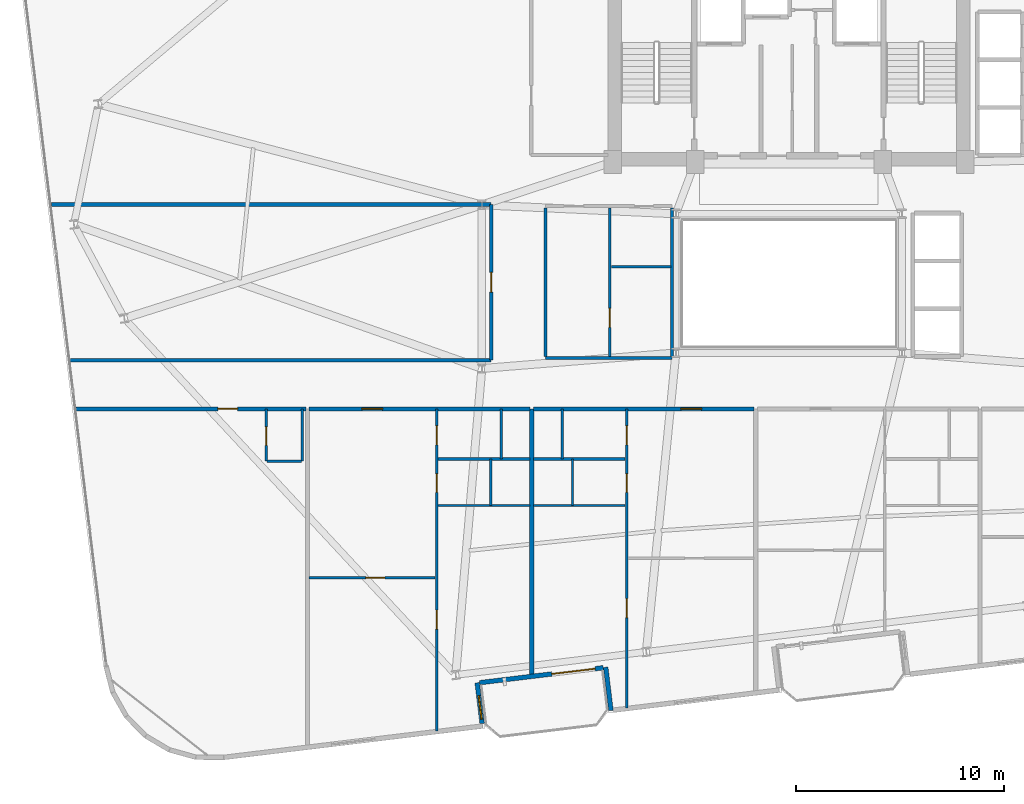
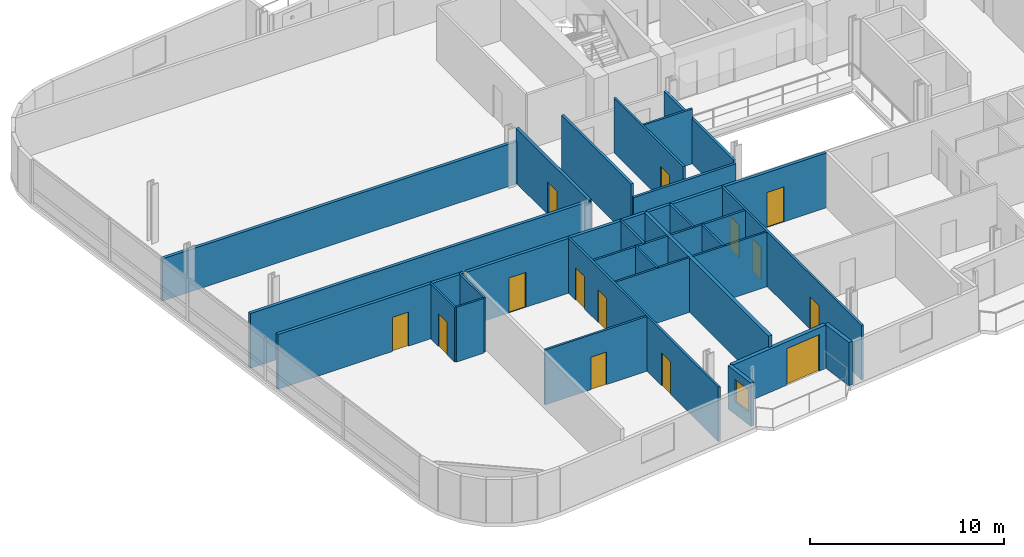
# One storey, part 15 of 24: 29 walls, 14 doors, 1 window, 15 openings.
"""IFC4 building model written with IfcOpenShell, lengths in metres."""

import ifcopenshell
import ifcopenshell.guid

model = None  # the IFC model being written
_history = None  # IfcOwnerHistory: only IFC2X3 demands one
_inside = {}  # id of a spatial element -> (the spatial element, [elements in it])
_under = {}  # id of a project, library or spatial element -> (it, [spatial elements below it])
_declared = {}  # id of a project -> (the project, [libraries it declares])
_typed = {}  # id of a type object -> (the type object, [elements of that type])
_made_of = {}  # id of a material, layer set ... -> (it, [elements and type objects made of it])


def new_model(schema):
    """Start an empty IFC model of exactly this schema.

    Asked for "IFC4X3", IfcOpenShell would pick the latest addendum, in which some entities
    have other attributes; the version numbers below select the first issue.
    IFC2X3 requires an IfcOwnerHistory on every rooted entity: one is made here for all.
    """
    global model, _history
    if schema == "IFC4X3":
        model = ifcopenshell.file(schema_version=(4, 3, 0, 0))
    else:
        model = ifcopenshell.file(schema=schema)
    _inside.clear()
    _under.clear()
    _declared.clear()
    _typed.clear()
    _made_of.clear()
    _history = None
    if model.schema == "IFC2X3":
        org = make("IfcOrganization", Name="unknown")
        user = make(
            "IfcPersonAndOrganization",
            ThePerson=make("IfcPerson", FamilyName="unknown"),
            TheOrganization=org,
        )
        app = make(
            "IfcApplication",
            ApplicationDeveloper=org,
            Version="unknown",
            ApplicationFullName="unknown",
            ApplicationIdentifier="unknown",
        )
        _history = make(
            "IfcOwnerHistory",
            OwningUser=user,
            OwningApplication=app,
            ChangeAction="ADDED",
            CreationDate=0,
        )
    return model


def make(cls, **values):
    """One entity of the class cls with the attributes given. An attribute that is None is left unset."""
    return model.create_entity(
        cls, **{name: value for name, value in values.items() if value is not None}
    )


def rooted(cls, **values):
    """An entity with a GlobalId (a new one), such as an element, a storey or a relation."""
    return make(cls, GlobalId=ifcopenshell.guid.new(), OwnerHistory=_history, **values)


def si_unit(unit_type, name, prefix=None):
    """IfcSIUnit, for example si_unit("LENGTHUNIT", "METRE", prefix="MILLI")."""
    return make("IfcSIUnit", UnitType=unit_type, Prefix=prefix, Name=name)


def assignment(units):
    """IfcUnitAssignment: the units of a project."""
    return None if units is None else make("IfcUnitAssignment", Units=units)


def point(xyz):
    """IfcCartesianPoint."""
    return None if xyz is None else make("IfcCartesianPoint", Coordinates=xyz)


def direction(xyz):
    """IfcDirection."""
    return None if xyz is None else make("IfcDirection", DirectionRatios=xyz)


def frame(location, z_axis=None, x_axis=None):
    """IfcAxis2Placement3D, a coordinate frame: its origin and axes. An axis left out is left unset."""
    return make(
        "IfcAxis2Placement3D",
        Location=point(location),
        Axis=direction(z_axis),
        RefDirection=direction(x_axis),
    )


def frame_2d(location, x_axis=None):
    """IfcAxis2Placement2D, a coordinate frame in the plane: its origin and x axis."""
    return make(
        "IfcAxis2Placement2D", Location=point(location), RefDirection=direction(x_axis)
    )


def origin():
    """The frame at (0, 0, 0) with its axes left unset."""
    return frame((0.0, 0.0, 0.0))


def place(relative_to, where):
    """IfcLocalPlacement: puts the frame where relative to a parent placement (None: the world)."""
    return make(
        "IfcLocalPlacement", PlacementRelTo=relative_to, RelativePlacement=where
    )


def context(
    kind, dimensions, precision=None, world=None, true_north=None, identifier=None
):
    """IfcGeometricRepresentationContext, for example the 3D "Model" context."""
    return make(
        "IfcGeometricRepresentationContext",
        ContextIdentifier=identifier,
        ContextType=kind,
        CoordinateSpaceDimension=dimensions,
        Precision=precision,
        WorldCoordinateSystem=world,
        TrueNorth=true_north,
    )


def subcontext(parent, identifier, kind, view, scale=None):
    """IfcGeometricRepresentationSubContext, for example "Body" below "Model"."""
    return make(
        "IfcGeometricRepresentationSubContext",
        ContextIdentifier=identifier,
        ContextType=kind,
        ParentContext=parent,
        TargetScale=scale,
        TargetView=view,
    )


def project(units=None, contexts=None):
    """IfcProject with its units and contexts."""
    return rooted(
        "IfcProject",
        Name="project",
        RepresentationContexts=contexts,
        UnitsInContext=assignment(units),
    )


def spatial(cls, under=None, at=None, **own):
    """A site, building, storey or space (cls), placed at a placement, below another one or the project."""
    s = rooted(cls, ObjectPlacement=at, **own)
    if under is not None:
        _under.setdefault(under.id(), (under, []))[1].append(s)
    return s


def profile(cls, at=None, kind="AREA", **sizes):
    """A parametric profile (cls). Its sizes go by their IFC names, for example OverallWidth=200.0."""
    return make(cls, ProfileType=kind, Position=at, **sizes)


def rectangle(**sizes):
    """IfcRectangleProfileDef."""
    return profile("IfcRectangleProfileDef", **sizes)


def extrude(swept, where, along, depth):
    """IfcExtrudedAreaSolid: the profile swept, set in the frame where, extruded along a direction by depth."""
    return make(
        "IfcExtrudedAreaSolid",
        SweptArea=swept,
        Position=where,
        ExtrudedDirection=direction(along),
        Depth=depth,
    )


def shape(context_of_items, identifier, shape_type, items):
    """IfcShapeRepresentation: the items that make up one representation, for example the "Body"."""
    return make(
        "IfcShapeRepresentation",
        ContextOfItems=context_of_items,
        RepresentationIdentifier=identifier,
        RepresentationType=shape_type,
        Items=items,
    )


def material(Name=None, Category=None):
    """IfcMaterial."""
    return make("IfcMaterial", Name=Name, Category=Category)


def layer(
    of_material, thickness, ventilated=None, Name=None, Category=None, Priority=None
):
    """IfcMaterialLayer: one layer of a wall or slab, of a material (None: an air gap)."""
    return make(
        "IfcMaterialLayer",
        Material=of_material,
        LayerThickness=thickness,
        IsVentilated=ventilated,
        Name=Name,
        Category=Category,
        Priority=Priority,
    )


def layer_set(layers, Name=None):
    """IfcMaterialLayerSet."""
    return make("IfcMaterialLayerSet", MaterialLayers=layers, LayerSetName=Name)


def made_of(thing, what):
    """Note that an element or type object is made of a material, layer set ...; save() writes the relation."""
    if what is not None:
        _made_of.setdefault(what.id(), (what, []))[1].append(thing)
    return thing


def type_object(cls, material=None, **own):
    """A type object (cls), such as IfcWallType, which elements share."""
    return made_of(rooted(cls, **own), material)


def element(
    cls,
    number,
    at=None,
    inside=None,
    cuts=None,
    type_object=None,
    material=None,
    context=None,
    identifier="Body",
    shape_type=None,
    held_by="IfcProductDefinitionShape",
    body=None,
    shapes=None,
    **own,
):
    """One element of the class cls, such as IfcWall. Its Tag is "e" and its number.

    at: its placement. inside: the storey or other place that contains it. cuts: it is an
    opening in that element (IfcRelVoidsElement). A single representation is given by context,
    identifier, shape_type and body (its items); several are given by shapes. held_by: the class
    of the entity that holds the representations. save() writes the other relations.
    """
    e = rooted(cls, Tag="e%d" % number, ObjectPlacement=at, **own)
    if body is not None:
        shapes = [shape(context, identifier, shape_type, body)]
    if shapes is not None:
        e.Representation = make(held_by, Representations=shapes)
    if inside is not None:
        _inside.setdefault(inside.id(), (inside, []))[1].append(e)
    if cuts is not None:
        rooted(
            "IfcRelVoidsElement", RelatingBuildingElement=cuts, RelatedOpeningElement=e
        )
    if type_object is not None:
        _typed.setdefault(type_object.id(), (type_object, []))[1].append(e)
    return made_of(e, material)


def fill(opening, filler):
    """IfcRelFillsElement: the door or window that sits in an opening."""
    return rooted(
        "IfcRelFillsElement",
        RelatingOpeningElement=opening,
        RelatedBuildingElement=filler,
    )


def aggregate(whole, parts):
    """IfcRelAggregates: a whole, such as a stair, and the parts it consists of."""
    return rooted("IfcRelAggregates", RelatingObject=whole, RelatedObjects=parts)


def save(model, path):
    """Write the relations noted so far, then the file.

    IfcRelAggregates (storeys below a building ...), IfcRelContainedInSpatialStructure (elements
    in a storey), IfcRelDefinesByType, IfcRelAssociatesMaterial and IfcRelDeclares: one each for
    every whole, place, type object, material and project.
    """
    for whole, parts in _under.values():
        aggregate(whole, parts)
    for where, things in _inside.values():
        rooted(
            "IfcRelContainedInSpatialStructure",
            RelatedElements=things,
            RelatingStructure=where,
        )
    for kind, things in _typed.values():
        rooted("IfcRelDefinesByType", RelatedObjects=things, RelatingType=kind)
    for what, things in _made_of.values():
        rooted("IfcRelAssociatesMaterial", RelatedObjects=things, RelatingMaterial=what)
    for by, libraries in _declared.values():
        rooted("IfcRelDeclares", RelatingContext=by, RelatedDefinitions=libraries)
    model.write(path)


model = new_model("IFC4")

# Units and contexts
model_context = context("Model", 3, precision=1e-05, world=origin(), true_north=direction((0.0, 1.0)))
body_context = subcontext(model_context, "Body", "Model", "MODEL_VIEW")
ifc_project = project(units=[si_unit("LENGTHUNIT", "METRE"), si_unit("AREAUNIT", "SQUARE_METRE"), si_unit("VOLUMEUNIT", "CUBIC_METRE"), si_unit("PLANEANGLEUNIT", "RADIAN"), si_unit("MASSUNIT", "GRAM", prefix="KILO")], contexts=[model_context])

# Site, building, storey
site_placement = place(None, origin())
site = spatial("IfcSite", under=ifc_project, at=site_placement, CompositionType="ELEMENT")
building_placement = place(site_placement, origin())
building = spatial("IfcBuilding", under=site, at=building_placement, Name="Varnelok Gate Tower", CompositionType="ELEMENT")
storey_placement = place(building_placement, frame((0.0, 0.0, 167.199951171875)))
storey = spatial("IfcBuildingStorey", under=building, at=storey_placement, Name="L42", CompositionType="ELEMENT", Elevation=167.199951171875)

# Wall, opening, door
ifc_material_1 = material(Name="Concrete C45/55", Category="concrete")
ifc_layer_1 = layer(ifc_material_1, 0.219970703125)
ifc_layer_set_1 = layer_set([ifc_layer_1], Name="Concrete C45/55")
wall_type_1 = type_object("IfcWallType", Name="EW-BALC-220", PredefinedType="SOLIDWALL", material=ifc_layer_set_1)
wall_1_placement = place(storey_placement, frame((30.25244140625, 4.381103515625, 0.0), z_axis=(0.0, 0.0, 1.0), x_axis=(-0.992735402148, -0.120318000826, 0.0)))
wall_1 = element("IfcWall", 1, at=wall_1_placement, inside=storey, type_object=wall_type_1, Name="L42 South Terrace Envelope Wall 1", PredefinedType="SOLIDWALL", context=body_context, shape_type="SweptSolid", body=[
    extrude(rectangle(XDim=6.000244140625, YDim=0.219970703125, at=frame_2d((3.0, 0.0))), origin(), (0.0, 0.0, 1.0), 2.72998046875),
])
opening_1_placement = place(wall_1_placement, frame((0.39990234375, 0.0, 0.0)))
opening_1 = element("IfcOpeningElement", 2, at=opening_1_placement, cuts=wall_1, Name="Opening BD-2", PredefinedType="OPENING", context=body_context, shape_type="SweptSolid", body=[
    extrude(rectangle(XDim=2.10009765625, YDim=2.300048828125, at=frame_2d((1.050048828125, 1.14990234375))), frame((0.0, 0.119873046875, 0.0), z_axis=(0.0, -1.0, 0.0), x_axis=(1.0, 0.0, 0.0)), (0.0, 0.0, 1.0), 0.239990234375),
])
ifc_material_2 = material(Name="Anodized Aluminum Alloy 6063-T6", Category="aluminium")
door_type_1 = type_object("IfcDoorType", Name="DR-EXT-SLID2100", OperationType="SLIDING_TO_LEFT", PredefinedType="DOOR", material=ifc_material_2)
door_1_placement = place(opening_1_placement, origin())
door_1 = element("IfcDoor", 3, at=door_1_placement, inside=storey, type_object=door_type_1, Name="L42 South Balcony Glazed Door 1", OperationType="SLIDING_TO_LEFT", OverallHeight=2.300048828125, OverallWidth=2.10009765625, PredefinedType="DOOR", context=body_context, shape_type="SweptSolid", body=[
    extrude(rectangle(XDim=2.10009765625, YDim=2.300048828125, at=frame_2d((1.050048828125, 1.14990234375))), frame((0.0, 0.02490234375, 0.0), z_axis=(0.0, -1.0, 0.0), x_axis=(1.0, 0.0, 0.0)), (0.0, 0.0, 1.0), 0.050048828125),
])
fill(opening_1, door_1)

# Wall, opening, window
wall_2_placement = place(storey_placement, frame((24.413330078125, 1.694091796875, 0.0), z_axis=(0.0, 0.0, 1.0), x_axis=(-0.120290754542, 0.992738703976, 0.0)))
wall_2 = element("IfcWall", 4, at=wall_2_placement, inside=storey, type_object=wall_type_1, Name="L42 Perimeter Facade Closure Wall 8", PredefinedType="SOLIDWALL", context=body_context, shape_type="SweptSolid", body=[
    extrude(rectangle(XDim=1.974853515625, YDim=0.219970703125, at=frame_2d((0.9873046875, 0.0))), origin(), (0.0, 0.0, 1.0), 2.72998046875),
])
opening_2_placement = place(wall_2_placement, frame((0.199951171875, 0.0, 0.800048828125)))
opening_2 = element("IfcOpeningElement", 5, at=opening_2_placement, cuts=wall_2, Name="Opening WN8", PredefinedType="OPENING", context=body_context, shape_type="SweptSolid", body=[
    extrude(rectangle(XDim=1.14990234375, YDim=1.39990234375, at=frame_2d((0.574951171875, 0.699951171875))), frame((0.0, 0.119873046875, 0.0), z_axis=(0.0, -1.0, 0.0), x_axis=(1.0, 0.0, 0.0)), (0.0, 0.0, 1.0), 0.239990234375),
])
ifc_material_3 = material(Name="Low-E Laminated Double Glazing IGU", Category="glass")
window_type = type_object("IfcWindowType", Name="WN-BED-1150", PartitioningType="SINGLE_PANEL", PredefinedType="WINDOW", material=ifc_material_3)
window_placement = place(opening_2_placement, origin())
window = element("IfcWindow", 6, at=window_placement, inside=storey, type_object=window_type, Name="L42 Bedroom Vision Window 19", OverallHeight=1.39990234375, OverallWidth=1.14990234375, PartitioningType="SINGLE_PANEL", PredefinedType="WINDOW", context=body_context, shape_type="SweptSolid", body=[
    extrude(rectangle(XDim=1.14990234375, YDim=1.39990234375, at=frame_2d((0.574951171875, 0.699951171875))), frame((0.0, 0.030029296875, 0.0), z_axis=(0.0, -1.0, 0.0), x_axis=(1.0, 0.0, 0.0)), (0.0, 0.0, 1.0), 0.06005859375),
])
fill(opening_2, window)

# Wall
wall_3_placement = place(storey_placement, frame((30.370361328125, 4.405517578125, 0.0), z_axis=(0.0, 0.0, 1.0), x_axis=(0.120327895535, -0.992734202874, 0.0)))
element("IfcWall", 7, at=wall_3_placement, inside=storey, type_object=wall_type_1, Name="L42 Perimeter Facade Closure Wall 9", PredefinedType="SOLIDWALL", context=body_context, shape_type="SweptSolid", body=[
    extrude(rectangle(XDim=2.099853515625, YDim=0.219970703125, at=frame_2d((1.0498046875, 0.0))), origin(), (0.0, 0.0, 1.0), 2.72998046875),
])

# Wall, opening, door
ifc_material_4 = material(Name="Gypsum Plasterboard Acoustic Partition", Category="gypsum")
ifc_layer_2 = layer(ifc_material_4, 0.179931640625)
ifc_layer_set_2 = layer_set([ifc_layer_2], Name="Gypsum Plasterboard Acoustic Partition")
wall_type_2 = type_object("IfcWallType", Name="PW-CORR-180", PredefinedType="PARTITIONING", material=ifc_layer_set_2)
wall_4_placement = place(storey_placement, frame((4.846923828125, 16.85009765625, 0.0), z_axis=(0.0, 0.0, 1.0), x_axis=(1.0, 0.0, 0.0)))
wall_4 = element("IfcWall", 8, at=wall_4_placement, inside=storey, type_object=wall_type_2, Name="Interior Partition", PredefinedType="PARTITIONING", context=body_context, shape_type="SweptSolid", body=[
    extrude(rectangle(XDim=11.072998046875, YDim=0.179931640625, at=frame_2d((5.53662109375, 0.0))), origin(), (0.0, 0.0, 1.0), 3.449951171875),
])
opening_3_placement = place(wall_4_placement, frame((6.8330078125, 0.0, 0.0)))
opening_3 = element("IfcOpeningElement", 9, at=opening_3_placement, cuts=wall_4, Name="Opening D-HT", PredefinedType="OPENING", context=body_context, shape_type="SweptSolid", body=[
    extrude(rectangle(XDim=0.949951171875, YDim=2.14990234375, at=frame_2d((0.47509765625, 1.074951171875))), frame((0.0, 0.099853515625, 0.0), z_axis=(0.0, -1.0, 0.0), x_axis=(1.0, 0.0, 0.0)), (0.0, 0.0, 1.0), 0.199951171875),
])
ifc_material_5 = material(Name="Engineered Hardwood Timber", Category="wood")
door_type_2 = type_object("IfcDoorType", Name="DR-HTL-950", OperationType="NOTDEFINED", PredefinedType="DOOR", material=ifc_material_5)
door_2_placement = place(opening_3_placement, origin())
door_2 = element("IfcDoor", 10, at=door_2_placement, inside=storey, type_object=door_type_2, Name="L42 Guest Room 01 Entrance Door", OperationType="SINGLE_SWING_RIGHT", OverallHeight=2.14990234375, OverallWidth=0.949951171875, PredefinedType="DOOR", context=body_context, shape_type="SweptSolid", body=[
    extrude(rectangle(XDim=0.949951171875, YDim=2.14990234375, at=frame_2d((0.47509765625, 1.074951171875))), frame((0.0, 0.02490234375, 0.0), z_axis=(0.0, -1.0, 0.0), x_axis=(1.0, 0.0, 0.0)), (0.0, 0.0, 1.0), 0.050048828125),
])
fill(opening_3, door_2)

wall_5_placement = place(storey_placement, frame((16.080078125, 16.85009765625, 0.0), z_axis=(0.0, 0.0, 1.0), x_axis=(1.0, 0.0, 0.0)))
wall_5 = element("IfcWall", 11, at=wall_5_placement, inside=storey, type_object=wall_type_2, Name="Interior Partition", PredefinedType="PARTITIONING", context=body_context, shape_type="SweptSolid", body=[
    extrude(rectangle(XDim=10.639892578125, YDim=0.179931640625, at=frame_2d((5.31982421875, 0.0))), origin(), (0.0, 0.0, 1.0), 3.449951171875),
])
opening_4_placement = place(wall_5_placement, frame((2.53466796875, 0.0, 0.0)))
opening_4 = element("IfcOpeningElement", 12, at=opening_4_placement, cuts=wall_5, Name="Opening D-AP", PredefinedType="OPENING", context=body_context, shape_type="SweptSolid", body=[
    extrude(rectangle(XDim=1.0, YDim=2.199951171875, at=frame_2d((0.5, 1.10009765625))), frame((0.0, 0.099853515625, 0.0), z_axis=(0.0, -1.0, 0.0), x_axis=(1.0, 0.0, 0.0)), (0.0, 0.0, 1.0), 0.199951171875),
])
door_type_3 = type_object("IfcDoorType", Name="DR-APT-1000", OperationType="NOTDEFINED", PredefinedType="DOOR", material=ifc_material_5)
door_3_placement = place(opening_4_placement, origin())
door_3 = element("IfcDoor", 13, at=door_3_placement, inside=storey, type_object=door_type_3, Name="L42 Apartment 2 Entrance Door", OperationType="SINGLE_SWING_LEFT", OverallHeight=2.199951171875, OverallWidth=1.0, PredefinedType="DOOR", context=body_context, shape_type="SweptSolid", body=[
    extrude(rectangle(XDim=1.0, YDim=2.199951171875, at=frame_2d((0.5, 1.10009765625))), frame((0.0, 0.02490234375, 0.0), z_axis=(0.0, -1.0, 0.0), x_axis=(1.0, 0.0, 0.0)), (0.0, 0.0, 1.0), 0.050048828125),
])
fill(opening_4, door_3)

wall_6_placement = place(storey_placement, frame((26.8798828125, 16.85009765625, 0.0), z_axis=(0.0, 0.0, 1.0), x_axis=(1.0, 0.0, 0.0)))
wall_6 = element("IfcWall", 14, at=wall_6_placement, inside=storey, type_object=wall_type_2, Name="Interior Partition", PredefinedType="PARTITIONING", context=body_context, shape_type="SweptSolid", body=[
    extrude(rectangle(XDim=10.64013671875, YDim=0.179931640625, at=frame_2d((5.320068359375, 0.0))), origin(), (0.0, 0.0, 1.0), 3.449951171875),
])
opening_5_placement = place(wall_6_placement, frame((7.10546875, 0.0, 0.0)))
opening_5 = element("IfcOpeningElement", 15, at=opening_5_placement, cuts=wall_6, Name="Opening D-AP", PredefinedType="OPENING", context=body_context, shape_type="SweptSolid", body=[
    extrude(rectangle(XDim=1.0, YDim=2.199951171875, at=frame_2d((0.5, 1.10009765625))), frame((0.0, 0.099853515625, 0.0), z_axis=(0.0, -1.0, 0.0), x_axis=(1.0, 0.0, 0.0)), (0.0, 0.0, 1.0), 0.199951171875),
])
door_4_placement = place(opening_5_placement, origin())
door_4 = element("IfcDoor", 16, at=door_4_placement, inside=storey, type_object=door_type_3, Name="L42 Apartment 3 Entrance Door", OperationType="SINGLE_SWING_RIGHT", OverallHeight=2.199951171875, OverallWidth=1.0, PredefinedType="DOOR", context=body_context, shape_type="SweptSolid", body=[
    extrude(rectangle(XDim=1.0, YDim=2.199951171875, at=frame_2d((0.5, 1.10009765625))), frame((0.0, 0.02490234375, 0.0), z_axis=(0.0, -1.0, 0.0), x_axis=(1.0, 0.0, 0.0)), (0.0, 0.0, 1.0), 0.050048828125),
])
fill(opening_5, door_4)

wall_7_placement = place(storey_placement, frame((24.85009765625, 19.199951171875, 0.0), z_axis=(0.0, 0.0, 1.0), x_axis=(0.0, 1.0, 0.0)))
wall_7 = element("IfcWall", 17, at=wall_7_placement, inside=storey, type_object=wall_type_2, Name="Interior Partition", PredefinedType="PARTITIONING", context=body_context, shape_type="SweptSolid", body=[
    extrude(rectangle(XDim=7.5, YDim=0.179931640625, at=frame_2d((3.75, 0.0))), origin(), (0.0, 0.0, 1.0), 3.449951171875),
])
opening_6_placement = place(wall_7_placement, frame((3.27490234375, 0.0, 0.0)))
opening_6 = element("IfcOpeningElement", 18, at=opening_6_placement, cuts=wall_7, Name="Opening D-I2", PredefinedType="OPENING", context=body_context, shape_type="SweptSolid", body=[
    extrude(rectangle(XDim=0.949951171875, YDim=2.050048828125, at=frame_2d((0.47509765625, 1.02490234375))), frame((0.0, 0.099853515625, 0.0), z_axis=(0.0, -1.0, 0.0), x_axis=(1.0, 0.0, 0.0)), (0.0, 0.0, 1.0), 0.199951171875),
])
door_type_4 = type_object("IfcDoorType", Name="DR-INT-950", OperationType="NOTDEFINED", PredefinedType="DOOR", material=ifc_material_5)
door_5_placement = place(opening_6_placement, origin())
door_5 = element("IfcDoor", 19, at=door_5_placement, inside=storey, type_object=door_type_4, Name="L42 West Flank Room Door", OperationType="SINGLE_SWING_LEFT", OverallHeight=2.050048828125, OverallWidth=0.949951171875, PredefinedType="DOOR", context=body_context, shape_type="SweptSolid", body=[
    extrude(rectangle(XDim=0.949951171875, YDim=2.050048828125, at=frame_2d((0.47509765625, 1.02490234375))), frame((0.0, 0.02490234375, 0.0), z_axis=(0.0, -1.0, 0.0), x_axis=(1.0, 0.0, 0.0)), (0.0, 0.0, 1.0), 0.050048828125),
])
fill(opening_6, door_5)

# Walls
wall_8_placement = place(storey_placement, frame((4.56201171875, 19.199951171875, 0.0), z_axis=(0.0, 0.0, 1.0), x_axis=(1.0, 0.0, 0.0)))
element("IfcWall", 20, at=wall_8_placement, inside=storey, type_object=wall_type_2, Name="Interior Partition", PredefinedType="PARTITIONING", context=body_context, shape_type="SweptSolid", body=[
    extrude(rectangle(XDim=20.2880859375, YDim=0.179931640625, at=frame_2d((10.14404296875, 0.0))), origin(), (0.0, 0.0, 1.0), 3.449951171875),
])
wall_9_placement = place(storey_placement, frame((3.65283203125, 26.699951171875, 0.0), z_axis=(0.0, 0.0, 1.0), x_axis=(1.0, 0.0, 0.0)))
element("IfcWall", 21, at=wall_9_placement, inside=storey, type_object=wall_type_2, Name="Interior Partition", PredefinedType="PARTITIONING", context=body_context, shape_type="SweptSolid", body=[
    extrude(rectangle(XDim=21.197265625, YDim=0.179931640625, at=frame_2d((10.5986328125, 0.0))), origin(), (0.0, 0.0, 1.0), 2.662109375),
])
ifc_layer_3 = layer(ifc_material_4, 0.114990234375)
ifc_layer_set_3 = layer_set([ifc_layer_3], Name="Gypsum Plasterboard Acoustic Partition")
wall_type_3 = type_object("IfcWallType", Name="PW-ENS-125", PredefinedType="PARTITIONING", material=ifc_layer_set_3)
wall_10_placement = place(storey_placement, frame((14.050048828125, 14.330078125, 0.0), z_axis=(0.0, 0.0, 1.0), x_axis=(1.0, 0.0, 0.0)))
element("IfcWall", 22, at=wall_10_placement, inside=storey, type_object=wall_type_3, Name="Interior Partition", PredefinedType="PARTITIONING", context=body_context, shape_type="SweptSolid", body=[
    extrude(rectangle(XDim=1.64990234375, YDim=0.114990234375, at=frame_2d((0.824951171875, 0.0))), origin(), (0.0, 0.0, 1.0), 3.449951171875),
])

# Wall, opening, door
wall_11_placement = place(storey_placement, frame((14.010009765625, 14.330078125, 0.0), z_axis=(0.0, 0.0, 1.0), x_axis=(0.0, 1.0, 0.0)))
wall_11 = element("IfcWall", 23, at=wall_11_placement, inside=storey, type_object=wall_type_3, Name="Interior Partition", PredefinedType="PARTITIONING", context=body_context, shape_type="SweptSolid", body=[
    extrude(rectangle(XDim=2.52001953125, YDim=0.114990234375, at=frame_2d((1.260009765625, 0.0))), origin(), (0.0, 0.0, 1.0), 3.449951171875),
])
opening_7_placement = place(wall_11_placement, frame((0.760009765625, 0.0, 0.0)))
opening_7 = element("IfcOpeningElement", 24, at=opening_7_placement, cuts=wall_11, Name="Opening D-WC", PredefinedType="OPENING", context=body_context, shape_type="SweptSolid", body=[
    extrude(rectangle(XDim=0.89990234375, YDim=2.050048828125, at=frame_2d((0.449951171875, 1.02490234375))), frame((0.0, 0.0673828125, 0.0), z_axis=(0.0, -1.0, 0.0), x_axis=(1.0, 0.0, 0.0)), (0.0, 0.0, 1.0), 0.135009765625),
])
door_type_5 = type_object("IfcDoorType", Name="DR-BATH-900", OperationType="NOTDEFINED", PredefinedType="DOOR", material=ifc_material_5)
door_6_placement = place(opening_7_placement, origin())
door_6 = element("IfcDoor", 25, at=door_6_placement, inside=storey, type_object=door_type_5, Name="L42 Guest En-Suite 01 Door", OperationType="SINGLE_SWING_RIGHT", OverallHeight=2.050048828125, OverallWidth=0.89990234375, PredefinedType="DOOR", context=body_context, shape_type="SweptSolid", body=[
    extrude(rectangle(XDim=0.89990234375, YDim=2.050048828125, at=frame_2d((0.449951171875, 1.02490234375))), frame((0.0, 0.02490234375, 0.0), z_axis=(0.0, -1.0, 0.0), x_axis=(1.0, 0.0, 0.0)), (0.0, 0.0, 1.0), 0.050048828125),
])
fill(opening_7, door_6)

# Walls
wall_12_placement = place(storey_placement, frame((15.739990234375, 14.330078125, 0.0), z_axis=(0.0, 0.0, 1.0), x_axis=(0.0, 1.0, 0.0)))
element("IfcWall", 26, at=wall_12_placement, inside=storey, type_object=wall_type_3, Name="Interior Partition", PredefinedType="PARTITIONING", context=body_context, shape_type="SweptSolid", body=[
    extrude(rectangle(XDim=2.52001953125, YDim=0.114990234375, at=frame_2d((1.260009765625, 0.0))), origin(), (0.0, 0.0, 1.0), 3.449951171875),
])
wall_13_placement = place(storey_placement, frame((22.289306640625, 12.199951171875, 0.0), z_axis=(0.0, 0.0, 1.0), x_axis=(1.0, 0.0, 0.0)))
element("IfcWall", 27, at=wall_13_placement, inside=storey, type_object=wall_type_3, Name="Interior Partition", PredefinedType="PARTITIONING", context=body_context, shape_type="SweptSolid", body=[
    extrude(rectangle(XDim=4.4306640625, YDim=0.114990234375, at=frame_2d((2.21533203125, 0.0))), origin(), (0.0, 0.0, 1.0), 3.449951171875),
])
wall_14_placement = place(storey_placement, frame((24.8291015625, 12.199951171875, 0.0), z_axis=(0.0, 0.0, 1.0), x_axis=(0.0, 1.0, 0.0)))
element("IfcWall", 28, at=wall_14_placement, inside=storey, type_object=wall_type_3, Name="Interior Partition", PredefinedType="PARTITIONING", context=body_context, shape_type="SweptSolid", body=[
    extrude(rectangle(XDim=2.239990234375, YDim=0.114990234375, at=frame_2d((1.1201171875, 0.0))), origin(), (0.0, 0.0, 1.0), 3.449951171875),
])
wall_15_placement = place(storey_placement, frame((26.8798828125, 12.199951171875, 0.0), z_axis=(0.0, 0.0, 1.0), x_axis=(1.0, 0.0, 0.0)))
element("IfcWall", 29, at=wall_15_placement, inside=storey, type_object=wall_type_3, Name="Interior Partition", PredefinedType="PARTITIONING", context=body_context, shape_type="SweptSolid", body=[
    extrude(rectangle(XDim=4.430908203125, YDim=0.114990234375, at=frame_2d((2.21533203125, 0.0))), origin(), (0.0, 0.0, 1.0), 3.449951171875),
])
wall_16_placement = place(storey_placement, frame((28.770751953125, 12.199951171875, 0.0), z_axis=(0.0, 0.0, 1.0), x_axis=(0.0, 1.0, 0.0)))
element("IfcWall", 30, at=wall_16_placement, inside=storey, type_object=wall_type_3, Name="Interior Partition", PredefinedType="PARTITIONING", context=body_context, shape_type="SweptSolid", body=[
    extrude(rectangle(XDim=2.239990234375, YDim=0.114990234375, at=frame_2d((1.1201171875, 0.0))), origin(), (0.0, 0.0, 1.0), 3.449951171875),
])

# Wall, opening, door
ifc_layer_4 = layer(ifc_material_4, 0.125)
ifc_layer_set_4 = layer_set([ifc_layer_4], Name="Gypsum Plasterboard Acoustic Partition")
wall_type_4 = type_object("IfcWallType", Name="PW-PART-125", PredefinedType="PARTITIONING", material=ifc_layer_set_4)
wall_17_placement = place(storey_placement, frame((16.080078125, 8.72412109375, 0.0), z_axis=(0.0, 0.0, 1.0), x_axis=(1.0, 0.0, 0.0)))
wall_17 = element("IfcWall", 31, at=wall_17_placement, inside=storey, type_object=wall_type_4, Name="Interior Partition", PredefinedType="PARTITIONING", context=body_context, shape_type="SweptSolid", body=[
    extrude(rectangle(XDim=6.069091796875, YDim=0.125, at=frame_2d((3.03466796875, 0.0))), origin(), (0.0, 0.0, 1.0), 3.449951171875),
])
opening_8_placement = place(wall_17_placement, frame((2.731201171875, 0.0, 0.0)))
opening_8 = element("IfcOpeningElement", 32, at=opening_8_placement, cuts=wall_17, Name="Opening D-I3", PredefinedType="OPENING", context=body_context, shape_type="SweptSolid", body=[
    extrude(rectangle(XDim=0.919921875, YDim=2.050048828125, at=frame_2d((0.4599609375, 1.02490234375))), frame((0.0, 0.072509765625, 0.0), z_axis=(0.0, -1.0, 0.0), x_axis=(1.0, 0.0, 0.0)), (0.0, 0.0, 1.0), 0.14501953125),
])
door_type_6 = type_object("IfcDoorType", Name="DR-INT-920", OperationType="NOTDEFINED", PredefinedType="DOOR", material=ifc_material_5)
door_7_placement = place(opening_8_placement, origin())
door_7 = element("IfcDoor", 33, at=door_7_placement, inside=storey, type_object=door_type_6, Name="L42 Apartment 2 Study Door", OperationType="SINGLE_SWING_LEFT", OverallHeight=2.050048828125, OverallWidth=0.919921875, PredefinedType="DOOR", context=body_context, shape_type="SweptSolid", body=[
    extrude(rectangle(XDim=0.919921875, YDim=2.050048828125, at=frame_2d((0.4599609375, 1.02490234375))), frame((0.0, 0.02490234375, 0.0), z_axis=(0.0, -1.0, 0.0), x_axis=(1.0, 0.0, 0.0)), (0.0, 0.0, 1.0), 0.050048828125),
])
fill(opening_8, door_7)

# Wall, openings, doors
wall_18_placement = place(storey_placement, frame((22.21923828125, 1.322265625, 0.0), z_axis=(0.0, 0.0, 1.0), x_axis=(0.0, 1.0, 0.0)))
wall_18 = element("IfcWall", 34, at=wall_18_placement, inside=storey, type_object=wall_type_4, Name="Interior Partition", PredefinedType="PARTITIONING", context=body_context, shape_type="SweptSolid", body=[
    extrude(rectangle(XDim=15.52783203125, YDim=0.125, at=frame_2d((7.763916015625, 0.0))), origin(), (0.0, 0.0, 1.0), 3.449951171875),
])
opening_9_placement = place(wall_18_placement, frame((4.9189453125, 0.0, 0.0)))
opening_9 = element("IfcOpeningElement", 35, at=opening_9_placement, cuts=wall_18, Name="Opening D-I3", PredefinedType="OPENING", context=body_context, shape_type="SweptSolid", body=[
    extrude(rectangle(XDim=0.919921875, YDim=2.050048828125, at=frame_2d((0.4599609375, 1.02490234375))), frame((0.0, 0.072509765625, 0.0), z_axis=(0.0, -1.0, 0.0), x_axis=(1.0, 0.0, 0.0)), (0.0, 0.0, 1.0), 0.14501953125),
])
opening_10_placement = place(wall_18_placement, frame((11.505126953125, 0.0, 0.0)))
opening_10 = element("IfcOpeningElement", 36, at=opening_10_placement, cuts=wall_18, Name="Opening D-WC", PredefinedType="OPENING", context=body_context, shape_type="SweptSolid", body=[
    extrude(rectangle(XDim=0.89990234375, YDim=2.050048828125, at=frame_2d((0.449951171875, 1.02490234375))), frame((0.0, 0.072509765625, 0.0), z_axis=(0.0, -1.0, 0.0), x_axis=(1.0, 0.0, 0.0)), (0.0, 0.0, 1.0), 0.14501953125),
])
opening_11_placement = place(wall_18_placement, frame((13.7978515625, 0.0, 0.0)))
opening_11 = element("IfcOpeningElement", 37, at=opening_11_placement, cuts=wall_18, Name="Opening D-I3", PredefinedType="OPENING", context=body_context, shape_type="SweptSolid", body=[
    extrude(rectangle(XDim=0.919921875, YDim=2.050048828125, at=frame_2d((0.4599609375, 1.02490234375))), frame((0.0, 0.072509765625, 0.0), z_axis=(0.0, -1.0, 0.0), x_axis=(1.0, 0.0, 0.0)), (0.0, 0.0, 1.0), 0.14501953125),
])
door_8_placement = place(opening_10_placement, origin())
door_8 = element("IfcDoor", 38, at=door_8_placement, inside=storey, type_object=door_type_5, Name="L42 Apartment 2 Bathroom Door", OperationType="SINGLE_SWING_LEFT", OverallHeight=2.050048828125, OverallWidth=0.89990234375, PredefinedType="DOOR", context=body_context, shape_type="SweptSolid", body=[
    extrude(rectangle(XDim=0.89990234375, YDim=2.050048828125, at=frame_2d((0.449951171875, 1.02490234375))), frame((0.0, 0.02490234375, 0.0), z_axis=(0.0, -1.0, 0.0), x_axis=(1.0, 0.0, 0.0)), (0.0, 0.0, 1.0), 0.050048828125),
])
fill(opening_10, door_8)
door_9_placement = place(opening_9_placement, origin())
door_9 = element("IfcDoor", 39, at=door_9_placement, inside=storey, type_object=door_type_6, Name="L42 Apartment 2 Bedroom Door", OperationType="SINGLE_SWING_RIGHT", OverallHeight=2.050048828125, OverallWidth=0.919921875, PredefinedType="DOOR", context=body_context, shape_type="SweptSolid", body=[
    extrude(rectangle(XDim=0.919921875, YDim=2.050048828125, at=frame_2d((0.4599609375, 1.02490234375))), frame((0.0, 0.02490234375, 0.0), z_axis=(0.0, -1.0, 0.0), x_axis=(1.0, 0.0, 0.0)), (0.0, 0.0, 1.0), 0.050048828125),
])
fill(opening_9, door_9)
door_10_placement = place(opening_11_placement, origin())
door_10 = element("IfcDoor", 40, at=door_10_placement, inside=storey, type_object=door_type_6, Name="L42 Apartment 2 Kitchen Door", OperationType="SINGLE_SWING_RIGHT", OverallHeight=2.050048828125, OverallWidth=0.919921875, PredefinedType="DOOR", context=body_context, shape_type="SweptSolid", body=[
    extrude(rectangle(XDim=0.919921875, YDim=2.050048828125, at=frame_2d((0.4599609375, 1.02490234375))), frame((0.0, 0.02490234375, 0.0), z_axis=(0.0, -1.0, 0.0), x_axis=(1.0, 0.0, 0.0)), (0.0, 0.0, 1.0), 0.050048828125),
])
fill(opening_11, door_10)

# Walls
wall_19_placement = place(storey_placement, frame((22.289306640625, 14.43994140625, 0.0), z_axis=(0.0, 0.0, 1.0), x_axis=(1.0, 0.0, 0.0)))
element("IfcWall", 41, at=wall_19_placement, inside=storey, type_object=wall_type_4, Name="Interior Partition", PredefinedType="PARTITIONING", context=body_context, shape_type="SweptSolid", body=[
    extrude(rectangle(XDim=4.4306640625, YDim=0.125, at=frame_2d((2.21533203125, 0.0))), origin(), (0.0, 0.0, 1.0), 3.449951171875),
])
wall_20_placement = place(storey_placement, frame((25.3291015625, 14.43994140625, 0.0), z_axis=(0.0, 0.0, 1.0), x_axis=(0.0, 1.0, 0.0)))
element("IfcWall", 42, at=wall_20_placement, inside=storey, type_object=wall_type_4, Name="Interior Partition", PredefinedType="PARTITIONING", context=body_context, shape_type="SweptSolid", body=[
    extrude(rectangle(XDim=2.41015625, YDim=0.125, at=frame_2d((1.205078125, 0.0))), origin(), (0.0, 0.0, 1.0), 3.449951171875),
])

# Wall, openings, doors
wall_21_placement = place(storey_placement, frame((31.380859375, 2.432861328125, 0.0), z_axis=(0.0, 0.0, 1.0), x_axis=(0.0, 1.0, 0.0)))
wall_21 = element("IfcWall", 43, at=wall_21_placement, inside=storey, type_object=wall_type_4, Name="Interior Partition", PredefinedType="PARTITIONING", context=body_context, shape_type="SweptSolid", body=[
    extrude(rectangle(XDim=14.417236328125, YDim=0.125, at=frame_2d((7.20849609375, 0.0))), origin(), (0.0, 0.0, 1.0), 3.449951171875),
])
opening_12_placement = place(wall_21_placement, frame((4.363525390625, 0.0, 0.0)))
opening_12 = element("IfcOpeningElement", 44, at=opening_12_placement, cuts=wall_21, Name="Opening D-I3", PredefinedType="OPENING", context=body_context, shape_type="SweptSolid", body=[
    extrude(rectangle(XDim=0.919921875, YDim=2.050048828125, at=frame_2d((0.4599609375, 1.02490234375))), frame((0.0, 0.072509765625, 0.0), z_axis=(0.0, -1.0, 0.0), x_axis=(1.0, 0.0, 0.0)), (0.0, 0.0, 1.0), 0.14501953125),
])
opening_13_placement = place(wall_21_placement, frame((10.39453125, 0.0, 0.0)))
opening_13 = element("IfcOpeningElement", 45, at=opening_13_placement, cuts=wall_21, Name="Opening D-WC", PredefinedType="OPENING", context=body_context, shape_type="SweptSolid", body=[
    extrude(rectangle(XDim=0.89990234375, YDim=2.050048828125, at=frame_2d((0.449951171875, 1.02490234375))), frame((0.0, 0.072509765625, 0.0), z_axis=(0.0, -1.0, 0.0), x_axis=(1.0, 0.0, 0.0)), (0.0, 0.0, 1.0), 0.14501953125),
])
opening_14_placement = place(wall_21_placement, frame((12.687255859375, 0.0, 0.0)))
opening_14 = element("IfcOpeningElement", 46, at=opening_14_placement, cuts=wall_21, Name="Opening D-I3", PredefinedType="OPENING", context=body_context, shape_type="SweptSolid", body=[
    extrude(rectangle(XDim=0.919921875, YDim=2.050048828125, at=frame_2d((0.4599609375, 1.02490234375))), frame((0.0, 0.072509765625, 0.0), z_axis=(0.0, -1.0, 0.0), x_axis=(1.0, 0.0, 0.0)), (0.0, 0.0, 1.0), 0.14501953125),
])
door_11_placement = place(opening_13_placement, origin())
door_11 = element("IfcDoor", 47, at=door_11_placement, inside=storey, type_object=door_type_5, Name="L42 Apartment 3 Bathroom Door", OperationType="SINGLE_SWING_LEFT", OverallHeight=2.050048828125, OverallWidth=0.89990234375, PredefinedType="DOOR", context=body_context, shape_type="SweptSolid", body=[
    extrude(rectangle(XDim=0.89990234375, YDim=2.050048828125, at=frame_2d((0.449951171875, 1.02490234375))), frame((0.0, 0.02490234375, 0.0), z_axis=(0.0, -1.0, 0.0), x_axis=(1.0, 0.0, 0.0)), (0.0, 0.0, 1.0), 0.050048828125),
])
fill(opening_13, door_11)
door_12_placement = place(opening_12_placement, origin())
door_12 = element("IfcDoor", 48, at=door_12_placement, inside=storey, type_object=door_type_6, Name="L42 Apartment 3 Bedroom Door", OperationType="SINGLE_SWING_RIGHT", OverallHeight=2.050048828125, OverallWidth=0.919921875, PredefinedType="DOOR", context=body_context, shape_type="SweptSolid", body=[
    extrude(rectangle(XDim=0.919921875, YDim=2.050048828125, at=frame_2d((0.4599609375, 1.02490234375))), frame((0.0, 0.02490234375, 0.0), z_axis=(0.0, -1.0, 0.0), x_axis=(1.0, 0.0, 0.0)), (0.0, 0.0, 1.0), 0.050048828125),
])
fill(opening_12, door_12)
door_13_placement = place(opening_14_placement, origin())
door_13 = element("IfcDoor", 49, at=door_13_placement, inside=storey, type_object=door_type_6, Name="L42 Apartment 3 Kitchen Door", OperationType="SINGLE_SWING_RIGHT", OverallHeight=2.050048828125, OverallWidth=0.919921875, PredefinedType="DOOR", context=body_context, shape_type="SweptSolid", body=[
    extrude(rectangle(XDim=0.919921875, YDim=2.050048828125, at=frame_2d((0.4599609375, 1.02490234375))), frame((0.0, 0.02490234375, 0.0), z_axis=(0.0, -1.0, 0.0), x_axis=(1.0, 0.0, 0.0)), (0.0, 0.0, 1.0), 0.050048828125),
])
fill(opening_14, door_13)

# Walls
wall_22_placement = place(storey_placement, frame((26.8798828125, 14.43994140625, 0.0), z_axis=(0.0, 0.0, 1.0), x_axis=(1.0, 0.0, 0.0)))
element("IfcWall", 50, at=wall_22_placement, inside=storey, type_object=wall_type_4, Name="Interior Partition", PredefinedType="PARTITIONING", context=body_context, shape_type="SweptSolid", body=[
    extrude(rectangle(XDim=4.430908203125, YDim=0.125, at=frame_2d((2.21533203125, 0.0))), origin(), (0.0, 0.0, 1.0), 3.449951171875),
])
wall_23_placement = place(storey_placement, frame((28.270751953125, 14.43994140625, 0.0), z_axis=(0.0, 0.0, 1.0), x_axis=(0.0, 1.0, 0.0)))
element("IfcWall", 51, at=wall_23_placement, inside=storey, type_object=wall_type_4, Name="Interior Partition", PredefinedType="PARTITIONING", context=body_context, shape_type="SweptSolid", body=[
    extrude(rectangle(XDim=2.41015625, YDim=0.125, at=frame_2d((1.205078125, 0.0))), origin(), (0.0, 0.0, 1.0), 3.449951171875),
])

# Wall, opening, door
wall_24_placement = place(storey_placement, frame((30.56005859375, 19.3798828125, 0.0), z_axis=(0.0, 0.0, 1.0), x_axis=(0.0, 1.0, 0.0)))
wall_24 = element("IfcWall", 52, at=wall_24_placement, inside=storey, type_object=wall_type_4, Name="Interior Partition", PredefinedType="PARTITIONING", context=body_context, shape_type="SweptSolid", body=[
    extrude(rectangle(XDim=7.16015625, YDim=0.125, at=frame_2d((3.580078125, 0.0))), origin(), (0.0, 0.0, 1.0), 3.449951171875),
])
opening_15_placement = place(wall_24_placement, frame((1.39990234375, 0.0, 0.0)))
opening_15 = element("IfcOpeningElement", 53, at=opening_15_placement, cuts=wall_24, Name="Opening D-I3", PredefinedType="OPENING", context=body_context, shape_type="SweptSolid", body=[
    extrude(rectangle(XDim=0.919921875, YDim=2.050048828125, at=frame_2d((0.4599609375, 1.02490234375))), frame((0.0, 0.072509765625, 0.0), z_axis=(0.0, -1.0, 0.0), x_axis=(1.0, 0.0, 0.0)), (0.0, 0.0, 1.0), 0.14501953125),
])
door_14_placement = place(opening_15_placement, origin())
door_14 = element("IfcDoor", 54, at=door_14_placement, inside=storey, type_object=door_type_6, Name="L42 Floor Linen Store Door", OperationType="SINGLE_SWING_RIGHT", OverallHeight=2.050048828125, OverallWidth=0.919921875, PredefinedType="DOOR", context=body_context, shape_type="SweptSolid", body=[
    extrude(rectangle(XDim=0.919921875, YDim=2.050048828125, at=frame_2d((0.4599609375, 1.02490234375))), frame((0.0, 0.02490234375, 0.0), z_axis=(0.0, -1.0, 0.0), x_axis=(1.0, 0.0, 0.0)), (0.0, 0.0, 1.0), 0.050048828125),
])
fill(opening_15, door_14)

# Walls
wall_25_placement = place(storey_placement, frame((30.639892578125, 23.7099609375, 0.0), z_axis=(0.0, 0.0, 1.0), x_axis=(1.0, 0.0, 0.0)))
element("IfcWall", 55, at=wall_25_placement, inside=storey, type_object=wall_type_4, Name="Interior Partition", PredefinedType="PARTITIONING", context=body_context, shape_type="SweptSolid", body=[
    extrude(rectangle(XDim=2.880126953125, YDim=0.125, at=frame_2d((1.43994140625, 0.0))), origin(), (0.0, 0.0, 1.0), 3.449951171875),
])
ifc_layer_5 = layer(ifc_material_4, 0.14990234375)
ifc_layer_set_5 = layer_set([ifc_layer_5], Name="Gypsum Plasterboard Acoustic Partition")
wall_type_5 = type_object("IfcWallType", Name="PW-PART-150", PredefinedType="PARTITIONING", material=ifc_layer_set_5)
wall_26_placement = place(storey_placement, frame((27.4599609375, 19.300048828125, 0.0), z_axis=(0.0, 0.0, 1.0), x_axis=(1.0, 0.0, 0.0)))
element("IfcWall", 56, at=wall_26_placement, inside=storey, type_object=wall_type_5, Name="Interior Partition", PredefinedType="PARTITIONING", context=body_context, shape_type="SweptSolid", body=[
    extrude(rectangle(XDim=6.10009765625, YDim=0.14990234375, at=frame_2d((3.050048828125, 0.0))), origin(), (0.0, 0.0, 1.0), 2.662109375),
])
wall_27_placement = place(storey_placement, frame((27.4599609375, 19.3798828125, 0.0), z_axis=(0.0, 0.0, 1.0), x_axis=(0.0, 1.0, 0.0)))
element("IfcWall", 57, at=wall_27_placement, inside=storey, type_object=wall_type_5, Name="Interior Partition", PredefinedType="PARTITIONING", context=body_context, shape_type="SweptSolid", body=[
    extrude(rectangle(XDim=7.16015625, YDim=0.14990234375, at=frame_2d((3.580078125, 0.0))), origin(), (0.0, 0.0, 1.0), 3.449951171875),
])
wall_28_placement = place(storey_placement, frame((33.56005859375, 19.3798828125, 0.0), z_axis=(0.0, 0.0, 1.0), x_axis=(0.0, 1.0, 0.0)))
element("IfcWall", 58, at=wall_28_placement, inside=storey, type_object=wall_type_5, Name="Interior Partition", PredefinedType="PARTITIONING", context=body_context, shape_type="SweptSolid", body=[
    extrude(rectangle(XDim=7.16015625, YDim=0.14990234375, at=frame_2d((3.580078125, 0.0))), origin(), (0.0, 0.0, 1.0), 2.823974609375),
])
ifc_layer_6 = layer(ifc_material_4, 0.205078125)
ifc_layer_set_6 = layer_set([ifc_layer_6], Name="Gypsum Plasterboard Acoustic Partition")
wall_type_6 = type_object("IfcWallType", Name="PW-PARTY-200", PredefinedType="PARTITIONING", material=ifc_layer_set_6)
wall_29_placement = place(storey_placement, frame((26.800048828125, 3.992919921875, 0.0), z_axis=(0.0, 0.0, 1.0), x_axis=(0.0, 1.0, 0.0)))
element("IfcWall", 59, at=wall_29_placement, inside=storey, type_object=wall_type_6, Name="L42 South Party Wall 2", PredefinedType="PARTITIONING", context=body_context, shape_type="SweptSolid", body=[
    extrude(rectangle(XDim=12.857177734375, YDim=0.205078125, at=frame_2d((6.4287109375, 0.0))), origin(), (0.0, 0.0, 1.0), 3.449951171875),
])

save(model, "model.ifc")
